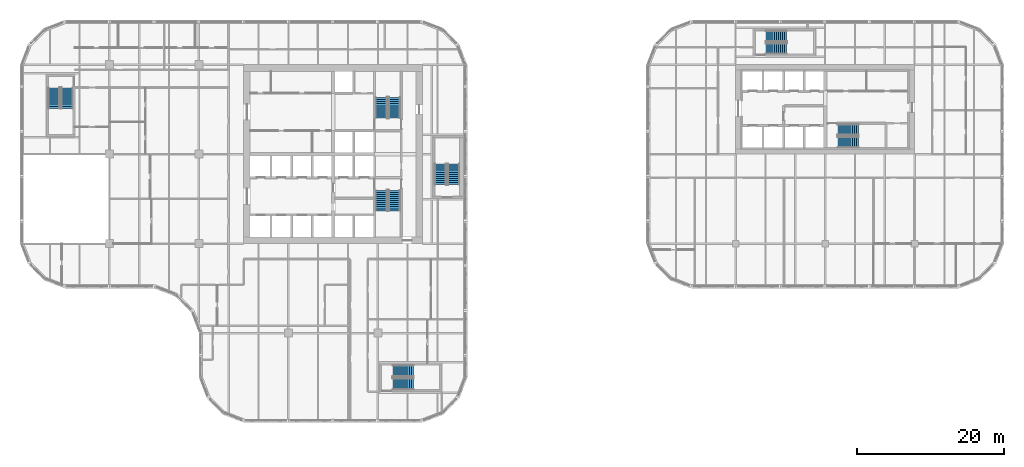
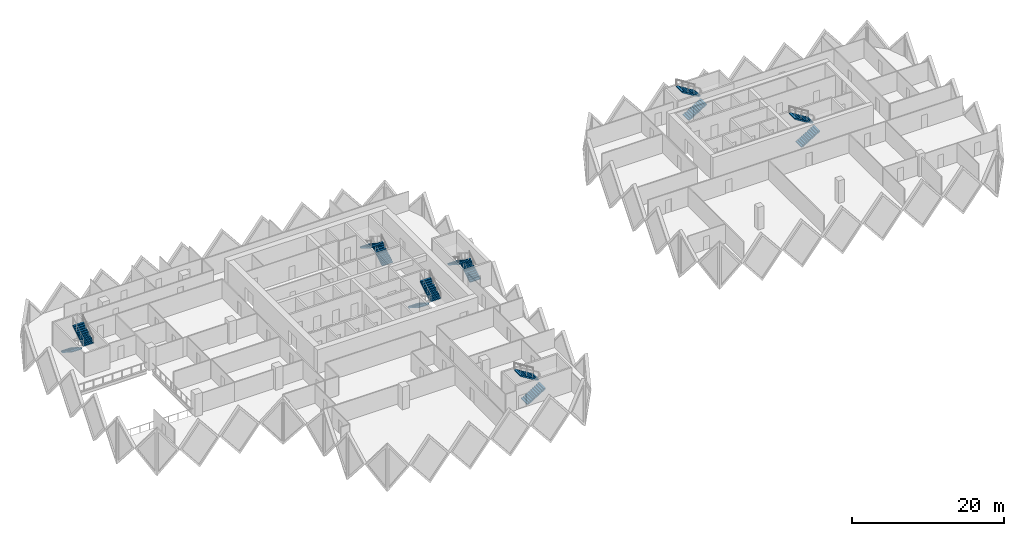
# One storey, part 16 of 18: 14 stair flights, 7 elements without a shape of their own.
"""IFC4 building model written with IfcOpenShell, lengths in metres."""

from ifc_helpers import new_model, si_unit, direction, frame, origin, place, context, subcontext, project, spatial, polyline, outline, extrude, material, type_object, element, aggregate, save


model = new_model("IFC4")

# Units and contexts
model_context = context("Model", 3, precision=1e-05, world=origin(), true_north=direction((0.0, 1.0)))
body_context = subcontext(model_context, "Body", "Model", "MODEL_VIEW")
ifc_project = project(units=[si_unit("LENGTHUNIT", "METRE"), si_unit("AREAUNIT", "SQUARE_METRE"), si_unit("VOLUMEUNIT", "CUBIC_METRE"), si_unit("PLANEANGLEUNIT", "RADIAN"), si_unit("MASSUNIT", "GRAM", prefix="KILO")], contexts=[model_context])

# Site, building, storey
site_placement = place(None, origin())
site = spatial("IfcSite", under=ifc_project, at=site_placement, CompositionType="ELEMENT")
building_placement = place(site_placement, origin())
building = spatial("IfcBuilding", under=site, at=building_placement, Name="Tessera Gate Towers", CompositionType="ELEMENT")
storey_placement = place(building_placement, frame((0.0, 0.0, 44.800048828125)))
storey = spatial("IfcBuildingStorey", under=building, at=storey_placement, Name="L10", CompositionType="ELEMENT", Elevation=44.800048828125)

# Stair, stair flights
ifc_material_1 = material(Name="Concrete C40/50", Category="concrete")
stair_type_1 = type_object("IfcStairType", Name="EXIT STAIR ST1 1600", PredefinedType="HALF_TURN_STAIR", material=ifc_material_1)
stair_1_placement = place(storey_placement, origin())
stair_1 = element("IfcStair", 1, at=stair_1_placement, inside=storey, type_object=stair_type_1, Name="L10 Protected Exit Stair ST1", PredefinedType="HALF_TURN_STAIR")
ifc_material_2 = material(Name="Concrete C40/50", Category="concrete")
stair_flight_type_1 = type_object("IfcStairFlightType", Name="EXIT STAIR FLIGHT ST1 1600", PredefinedType="STRAIGHT", material=ifc_material_2)
stair_flight_1_placement = place(storey_placement, frame((49.27490234375, 31.675048828125, 0.0), z_axis=(0.0, 0.0, 1.0), x_axis=(0.0, -1.0, 0.0)))
stair_flight_1 = element("IfcStairFlight", 2, at=stair_flight_1_placement, type_object=stair_flight_type_1, Name="ST1 flight 1", NumberOfRisers=11, NumberOfTreads=10, PredefinedType="STRAIGHT", RiserHeight=0.172727273, TreadLength=0.28, context=body_context, shape_type="SweptSolid", body=[
    extrude(outline(polyline([(0.0, 0.0), (0.0, 0.172607421875), (0.280029296875, 0.172607421875), (0.280029296875, 0.345458984375), (0.56005859375, 0.345458984375), (0.56005859375, 0.51806640625), (0.840087890625, 0.51806640625), (0.840087890625, 0.69091796875), (1.1201171875, 0.69091796875), (1.1201171875, 0.863525390625), (1.39990234375, 0.863525390625), (1.39990234375, 1.036376953125), (1.679931640625, 1.036376953125), (1.679931640625, 1.208984375), (1.9599609375, 1.208984375), (1.9599609375, 1.3818359375), (2.239990234375, 1.3818359375), (2.239990234375, 1.554443359375), (2.52001953125, 1.554443359375), (2.52001953125, 1.727294921875), (2.800048828125, 1.727294921875), (2.800048828125, 1.89990234375), (2.800048828125, 1.551025390625), (0.285400390625, 0.0), (0.0, 0.0)])), frame((0.0, 0.800048828125, 0.0), z_axis=(0.0, -1.0, 0.0), x_axis=(1.0, 0.0, 0.0)), (0.0, 0.0, 1.0), 1.60009765625),
])
stair_flight_2_placement = place(storey_placement, frame((51.074951171875, 28.875, 1.89990234375), z_axis=(0.0, 0.0, 1.0), x_axis=(0.0, 1.0, 0.0)))
stair_flight_2 = element("IfcStairFlight", 3, at=stair_flight_2_placement, type_object=stair_flight_type_1, Name="ST1 flight 2", NumberOfRisers=11, NumberOfTreads=10, PredefinedType="STRAIGHT", RiserHeight=0.172727273, TreadLength=0.28, context=body_context, shape_type="SweptSolid", body=[
    extrude(outline(polyline([(0.0, 0.0), (0.0, 0.172607421875), (0.280029296875, 0.172607421875), (0.280029296875, 0.345458984375), (0.56005859375, 0.345458984375), (0.56005859375, 0.51806640625), (0.840087890625, 0.51806640625), (0.840087890625, 0.69091796875), (1.1201171875, 0.69091796875), (1.1201171875, 0.863525390625), (1.39990234375, 0.863525390625), (1.39990234375, 1.036376953125), (1.679931640625, 1.036376953125), (1.679931640625, 1.208984375), (1.9599609375, 1.208984375), (1.9599609375, 1.3818359375), (2.239990234375, 1.3818359375), (2.239990234375, 1.554443359375), (2.52001953125, 1.554443359375), (2.52001953125, 1.727294921875), (2.800048828125, 1.727294921875), (2.800048828125, 1.89990234375), (2.800048828125, 1.551025390625), (0.285400390625, 0.0), (0.0, 0.0)])), frame((0.0, 0.800048828125, 0.0), z_axis=(0.0, -1.0, 0.0), x_axis=(1.0, 0.0, 0.0)), (0.0, 0.0, 1.0), 1.60009765625),
])
aggregate(stair_1, [stair_flight_1, stair_flight_2])

ifc_material_3 = material(Name="Concrete C40/50", Category="concrete")
stair_type_2 = type_object("IfcStairType", Name="EXIT STAIR ST2 1600", PredefinedType="HALF_TURN_STAIR", material=ifc_material_3)
stair_2_placement = place(storey_placement, origin())
stair_2 = element("IfcStair", 4, at=stair_2_placement, inside=storey, type_object=stair_type_2, Name="L10 Protected Exit Stair ST2", PredefinedType="HALF_TURN_STAIR")
ifc_material_4 = material(Name="Concrete C40/50", Category="concrete")
stair_flight_type_2 = type_object("IfcStairFlightType", Name="EXIT STAIR FLIGHT ST2 1600", PredefinedType="STRAIGHT", material=ifc_material_4)
stair_flight_3_placement = place(storey_placement, frame((51.074951171875, 41.52490234375, 0.0), z_axis=(0.0, 0.0, 1.0), x_axis=(0.0, 1.0, 0.0)))
stair_flight_3 = element("IfcStairFlight", 5, at=stair_flight_3_placement, type_object=stair_flight_type_2, Name="ST2 flight 1", NumberOfRisers=11, NumberOfTreads=10, PredefinedType="STRAIGHT", RiserHeight=0.172727273, TreadLength=0.28, context=body_context, shape_type="SweptSolid", body=[
    extrude(outline(polyline([(0.0, 0.0), (0.0, 0.172607421875), (0.280029296875, 0.172607421875), (0.280029296875, 0.345458984375), (0.56005859375, 0.345458984375), (0.56005859375, 0.51806640625), (0.840087890625, 0.51806640625), (0.840087890625, 0.69091796875), (1.1201171875, 0.69091796875), (1.1201171875, 0.863525390625), (1.39990234375, 0.863525390625), (1.39990234375, 1.036376953125), (1.679931640625, 1.036376953125), (1.679931640625, 1.208984375), (1.9599609375, 1.208984375), (1.9599609375, 1.3818359375), (2.239990234375, 1.3818359375), (2.239990234375, 1.554443359375), (2.52001953125, 1.554443359375), (2.52001953125, 1.727294921875), (2.800048828125, 1.727294921875), (2.800048828125, 1.89990234375), (2.800048828125, 1.551025390625), (0.285400390625, 0.0), (0.0, 0.0)])), frame((0.0, 0.800048828125, 0.0), z_axis=(0.0, -1.0, 0.0), x_axis=(1.0, 0.0, 0.0)), (0.0, 0.0, 1.0), 1.60009765625),
])
stair_flight_4_placement = place(storey_placement, frame((49.27490234375, 44.324951171875, 1.89990234375), z_axis=(0.0, 0.0, 1.0), x_axis=(0.0, -1.0, 0.0)))
stair_flight_4 = element("IfcStairFlight", 6, at=stair_flight_4_placement, type_object=stair_flight_type_2, Name="ST2 flight 2", NumberOfRisers=11, NumberOfTreads=10, PredefinedType="STRAIGHT", RiserHeight=0.172727273, TreadLength=0.28, context=body_context, shape_type="SweptSolid", body=[
    extrude(outline(polyline([(0.0, 0.0), (0.0, 0.172607421875), (0.280029296875, 0.172607421875), (0.280029296875, 0.345458984375), (0.56005859375, 0.345458984375), (0.56005859375, 0.51806640625), (0.840087890625, 0.51806640625), (0.840087890625, 0.69091796875), (1.1201171875, 0.69091796875), (1.1201171875, 0.863525390625), (1.39990234375, 0.863525390625), (1.39990234375, 1.036376953125), (1.679931640625, 1.036376953125), (1.679931640625, 1.208984375), (1.9599609375, 1.208984375), (1.9599609375, 1.3818359375), (2.239990234375, 1.3818359375), (2.239990234375, 1.554443359375), (2.52001953125, 1.554443359375), (2.52001953125, 1.727294921875), (2.800048828125, 1.727294921875), (2.800048828125, 1.89990234375), (2.800048828125, 1.551025390625), (0.285400390625, 0.0), (0.0, 0.0)])), frame((0.0, 0.800048828125, 0.0), z_axis=(0.0, -1.0, 0.0), x_axis=(1.0, 0.0, 0.0)), (0.0, 0.0, 1.0), 1.60009765625),
])
aggregate(stair_2, [stair_flight_3, stair_flight_4])

ifc_material_5 = material(Name="Concrete C40/50", Category="concrete")
stair_type_3 = type_object("IfcStairType", Name="EXIT STAIR ST3 1600", PredefinedType="HALF_TURN_STAIR", material=ifc_material_5)
stair_3_placement = place(storey_placement, origin())
stair_3 = element("IfcStair", 7, at=stair_3_placement, inside=storey, type_object=stair_type_3, Name="L10 West Exit Stair ST3", PredefinedType="HALF_TURN_STAIR")
ifc_material_6 = material(Name="Concrete C40/50", Category="concrete")
stair_flight_type_3 = type_object("IfcStairFlightType", Name="EXIT STAIR FLIGHT ST3 1600", PredefinedType="STRAIGHT", material=ifc_material_6)
stair_flight_5_placement = place(storey_placement, frame((4.64990234375, 45.64990234375, 0.0), z_axis=(0.0, 0.0, 1.0), x_axis=(0.0, -1.0, 0.0)))
stair_flight_5 = element("IfcStairFlight", 8, at=stair_flight_5_placement, type_object=stair_flight_type_3, Name="ST3 flight 1", NumberOfRisers=11, NumberOfTreads=10, PredefinedType="STRAIGHT", RiserHeight=0.172727273, TreadLength=0.28, context=body_context, shape_type="SweptSolid", body=[
    extrude(outline(polyline([(0.0, 0.0), (0.0, 0.172607421875), (0.280029296875, 0.172607421875), (0.280029296875, 0.345458984375), (0.56005859375, 0.345458984375), (0.56005859375, 0.51806640625), (0.840087890625, 0.51806640625), (0.840087890625, 0.69091796875), (1.1201171875, 0.69091796875), (1.1201171875, 0.863525390625), (1.39990234375, 0.863525390625), (1.39990234375, 1.036376953125), (1.679931640625, 1.036376953125), (1.679931640625, 1.208984375), (1.9599609375, 1.208984375), (1.9599609375, 1.3818359375), (2.239990234375, 1.3818359375), (2.239990234375, 1.554443359375), (2.52001953125, 1.554443359375), (2.52001953125, 1.727294921875), (2.800048828125, 1.727294921875), (2.800048828125, 1.89990234375), (2.800048828125, 1.551025390625), (0.285400390625, 0.0), (0.0, 0.0)])), frame((0.0, 0.800048828125, 0.0), z_axis=(0.0, -1.0, 0.0), x_axis=(1.0, 0.0, 0.0)), (0.0, 0.0, 1.0), 1.60009765625),
])
stair_flight_6_placement = place(storey_placement, frame((6.449951171875, 42.85009765625, 1.89990234375), z_axis=(0.0, 0.0, 1.0), x_axis=(0.0, 1.0, 0.0)))
stair_flight_6 = element("IfcStairFlight", 9, at=stair_flight_6_placement, type_object=stair_flight_type_3, Name="ST3 flight 2", NumberOfRisers=11, NumberOfTreads=10, PredefinedType="STRAIGHT", RiserHeight=0.172727273, TreadLength=0.28, context=body_context, shape_type="SweptSolid", body=[
    extrude(outline(polyline([(0.0, 0.0), (0.0, 0.172607421875), (0.280029296875, 0.172607421875), (0.280029296875, 0.345458984375), (0.56005859375, 0.345458984375), (0.56005859375, 0.51806640625), (0.840087890625, 0.51806640625), (0.840087890625, 0.69091796875), (1.1201171875, 0.69091796875), (1.1201171875, 0.863525390625), (1.39990234375, 0.863525390625), (1.39990234375, 1.036376953125), (1.679931640625, 1.036376953125), (1.679931640625, 1.208984375), (1.9599609375, 1.208984375), (1.9599609375, 1.3818359375), (2.239990234375, 1.3818359375), (2.239990234375, 1.554443359375), (2.52001953125, 1.554443359375), (2.52001953125, 1.727294921875), (2.800048828125, 1.727294921875), (2.800048828125, 1.89990234375), (2.800048828125, 1.551025390625), (0.285400390625, 0.0), (0.0, 0.0)])), frame((0.0, 0.800048828125, 0.0), z_axis=(0.0, -1.0, 0.0), x_axis=(1.0, 0.0, 0.0)), (0.0, 0.0, 1.0), 1.60009765625),
])
aggregate(stair_3, [stair_flight_5, stair_flight_6])

ifc_material_7 = material(Name="Concrete C40/50", Category="concrete")
stair_type_4 = type_object("IfcStairType", Name="EXIT STAIR ST4 1600", PredefinedType="HALF_TURN_STAIR", material=ifc_material_7)
stair_4_placement = place(storey_placement, origin())
stair_4 = element("IfcStair", 10, at=stair_4_placement, inside=storey, type_object=stair_type_4, Name="L10 South Exit Stair ST4", PredefinedType="HALF_TURN_STAIR")
ifc_material_8 = material(Name="Concrete C40/50", Category="concrete")
stair_flight_type_4 = type_object("IfcStairFlightType", Name="EXIT STAIR FLIGHT ST4 1600", PredefinedType="STRAIGHT", material=ifc_material_8)
stair_flight_7_placement = place(storey_placement, frame((50.85009765625, 5.25, 0.0), z_axis=(0.0, 0.0, 1.0), x_axis=(1.0, 0.0, 0.0)))
stair_flight_7 = element("IfcStairFlight", 11, at=stair_flight_7_placement, type_object=stair_flight_type_4, Name="ST4 flight 1", NumberOfRisers=11, NumberOfTreads=10, PredefinedType="STRAIGHT", RiserHeight=0.172727273, TreadLength=0.28, context=body_context, shape_type="SweptSolid", body=[
    extrude(outline(polyline([(0.0, 0.0), (0.0, 0.172607421875), (0.280029296875, 0.172607421875), (0.280029296875, 0.345458984375), (0.56005859375, 0.345458984375), (0.56005859375, 0.51806640625), (0.840087890625, 0.51806640625), (0.840087890625, 0.69091796875), (1.1201171875, 0.69091796875), (1.1201171875, 0.863525390625), (1.39990234375, 0.863525390625), (1.39990234375, 1.036376953125), (1.679931640625, 1.036376953125), (1.679931640625, 1.208984375), (1.9599609375, 1.208984375), (1.9599609375, 1.3818359375), (2.239990234375, 1.3818359375), (2.239990234375, 1.554443359375), (2.52001953125, 1.554443359375), (2.52001953125, 1.727294921875), (2.800048828125, 1.727294921875), (2.800048828125, 1.89990234375), (2.800048828125, 1.551025390625), (0.285400390625, 0.0), (0.0, 0.0)])), frame((0.0, 0.800048828125, 0.0), z_axis=(0.0, -1.0, 0.0), x_axis=(1.0, 0.0, 0.0)), (0.0, 0.0, 1.0), 1.60009765625),
])
stair_flight_8_placement = place(storey_placement, frame((53.64990234375, 7.050048828125, 1.89990234375), z_axis=(0.0, 0.0, 1.0), x_axis=(-1.0, 0.0, 0.0)))
stair_flight_8 = element("IfcStairFlight", 12, at=stair_flight_8_placement, type_object=stair_flight_type_4, Name="ST4 flight 2", NumberOfRisers=11, NumberOfTreads=10, PredefinedType="STRAIGHT", RiserHeight=0.172727273, TreadLength=0.28, context=body_context, shape_type="SweptSolid", body=[
    extrude(outline(polyline([(0.0, 0.0), (0.0, 0.172607421875), (0.280029296875, 0.172607421875), (0.280029296875, 0.345458984375), (0.56005859375, 0.345458984375), (0.56005859375, 0.51806640625), (0.840087890625, 0.51806640625), (0.840087890625, 0.69091796875), (1.1201171875, 0.69091796875), (1.1201171875, 0.863525390625), (1.39990234375, 0.863525390625), (1.39990234375, 1.036376953125), (1.679931640625, 1.036376953125), (1.679931640625, 1.208984375), (1.9599609375, 1.208984375), (1.9599609375, 1.3818359375), (2.239990234375, 1.3818359375), (2.239990234375, 1.554443359375), (2.52001953125, 1.554443359375), (2.52001953125, 1.727294921875), (2.800048828125, 1.727294921875), (2.800048828125, 1.89990234375), (2.800048828125, 1.551025390625), (0.285400390625, 0.0), (0.0, 0.0)])), frame((0.0, 0.800048828125, 0.0), z_axis=(0.0, -1.0, 0.0), x_axis=(1.0, 0.0, 0.0)), (0.0, 0.0, 1.0), 1.60009765625),
])
aggregate(stair_4, [stair_flight_7, stair_flight_8])

ifc_material_9 = material(Name="Concrete C40/50", Category="concrete")
stair_type_5 = type_object("IfcStairType", Name="EXIT STAIR ST5 1600", PredefinedType="HALF_TURN_STAIR", material=ifc_material_9)
stair_5_placement = place(storey_placement, origin())
stair_5 = element("IfcStair", 13, at=stair_5_placement, inside=storey, type_object=stair_type_5, Name="L10 East Exit Stair ST5", PredefinedType="HALF_TURN_STAIR")
ifc_material_10 = material(Name="Concrete C40/50", Category="concrete")
stair_flight_type_5 = type_object("IfcStairFlightType", Name="EXIT STAIR FLIGHT ST5 1600", PredefinedType="STRAIGHT", material=ifc_material_10)
stair_flight_9_placement = place(storey_placement, frame((59.14990234375, 32.449951171875, 0.0), z_axis=(0.0, 0.0, 1.0), x_axis=(0.0, 1.0, 0.0)))
stair_flight_9 = element("IfcStairFlight", 14, at=stair_flight_9_placement, type_object=stair_flight_type_5, Name="ST5 flight 1", NumberOfRisers=11, NumberOfTreads=10, PredefinedType="STRAIGHT", RiserHeight=0.172727273, TreadLength=0.28, context=body_context, shape_type="SweptSolid", body=[
    extrude(outline(polyline([(0.0, 0.0), (0.0, 0.172607421875), (0.280029296875, 0.172607421875), (0.280029296875, 0.345458984375), (0.56005859375, 0.345458984375), (0.56005859375, 0.51806640625), (0.840087890625, 0.51806640625), (0.840087890625, 0.69091796875), (1.1201171875, 0.69091796875), (1.1201171875, 0.863525390625), (1.39990234375, 0.863525390625), (1.39990234375, 1.036376953125), (1.679931640625, 1.036376953125), (1.679931640625, 1.208984375), (1.9599609375, 1.208984375), (1.9599609375, 1.3818359375), (2.239990234375, 1.3818359375), (2.239990234375, 1.554443359375), (2.52001953125, 1.554443359375), (2.52001953125, 1.727294921875), (2.800048828125, 1.727294921875), (2.800048828125, 1.89990234375), (2.800048828125, 1.551025390625), (0.285400390625, 0.0), (0.0, 0.0)])), frame((0.0, 0.800048828125, 0.0), z_axis=(0.0, -1.0, 0.0), x_axis=(1.0, 0.0, 0.0)), (0.0, 0.0, 1.0), 1.60009765625),
])
stair_flight_10_placement = place(storey_placement, frame((57.35009765625, 35.25, 1.89990234375), z_axis=(0.0, 0.0, 1.0), x_axis=(0.0, -1.0, 0.0)))
stair_flight_10 = element("IfcStairFlight", 15, at=stair_flight_10_placement, type_object=stair_flight_type_5, Name="ST5 flight 2", NumberOfRisers=11, NumberOfTreads=10, PredefinedType="STRAIGHT", RiserHeight=0.172727273, TreadLength=0.28, context=body_context, shape_type="SweptSolid", body=[
    extrude(outline(polyline([(0.0, 0.0), (0.0, 0.172607421875), (0.280029296875, 0.172607421875), (0.280029296875, 0.345458984375), (0.56005859375, 0.345458984375), (0.56005859375, 0.51806640625), (0.840087890625, 0.51806640625), (0.840087890625, 0.69091796875), (1.1201171875, 0.69091796875), (1.1201171875, 0.863525390625), (1.39990234375, 0.863525390625), (1.39990234375, 1.036376953125), (1.679931640625, 1.036376953125), (1.679931640625, 1.208984375), (1.9599609375, 1.208984375), (1.9599609375, 1.3818359375), (2.239990234375, 1.3818359375), (2.239990234375, 1.554443359375), (2.52001953125, 1.554443359375), (2.52001953125, 1.727294921875), (2.800048828125, 1.727294921875), (2.800048828125, 1.89990234375), (2.800048828125, 1.551025390625), (0.285400390625, 0.0), (0.0, 0.0)])), frame((0.0, 0.800048828125, 0.0), z_axis=(0.0, -1.0, 0.0), x_axis=(1.0, 0.0, 0.0)), (0.0, 0.0, 1.0), 1.60009765625),
])
aggregate(stair_5, [stair_flight_9, stair_flight_10])

ifc_material_11 = material(Name="Concrete C40/50", Category="concrete")
stair_type_6 = type_object("IfcStairType", Name="EXIT STAIR ST6 1500", PredefinedType="HALF_TURN_STAIR", material=ifc_material_11)
stair_6_placement = place(storey_placement, origin())
stair_6 = element("IfcStair", 16, at=stair_6_placement, inside=storey, type_object=stair_type_6, Name="L10 Protected Exit Stair ST6", PredefinedType="HALF_TURN_STAIR")
ifc_material_12 = material(Name="Concrete C40/50", Category="concrete")
stair_flight_type_6 = type_object("IfcStairFlightType", Name="EXIT STAIR FLIGHT ST6 1500", PredefinedType="STRAIGHT", material=ifc_material_12)
stair_flight_11_placement = place(storey_placement, frame((111.550048828125, 38.25, 0.0), z_axis=(0.0, 0.0, 1.0), x_axis=(1.0, 0.0, 0.0)))
stair_flight_11 = element("IfcStairFlight", 17, at=stair_flight_11_placement, type_object=stair_flight_type_6, Name="ST6 flight 1", NumberOfRisers=11, NumberOfTreads=10, PredefinedType="STRAIGHT", RiserHeight=0.172727273, TreadLength=0.28, context=body_context, shape_type="SweptSolid", body=[
    extrude(outline(polyline([(0.0, 0.0), (0.0, 0.172607421875), (0.280029296875, 0.172607421875), (0.280029296875, 0.345458984375), (0.56005859375, 0.345458984375), (0.56005859375, 0.51806640625), (0.840087890625, 0.51806640625), (0.840087890625, 0.69091796875), (1.1201171875, 0.69091796875), (1.1201171875, 0.863525390625), (1.39990234375, 0.863525390625), (1.39990234375, 1.036376953125), (1.679931640625, 1.036376953125), (1.679931640625, 1.208984375), (1.9599609375, 1.208984375), (1.9599609375, 1.3818359375), (2.239990234375, 1.3818359375), (2.239990234375, 1.554443359375), (2.52001953125, 1.554443359375), (2.52001953125, 1.727294921875), (2.800048828125, 1.727294921875), (2.800048828125, 1.89990234375), (2.800048828125, 1.551025390625), (0.285400390625, 0.0), (0.0, 0.0)])), frame((0.0, 0.75, 0.0), z_axis=(0.0, -1.0, 0.0), x_axis=(1.0, 0.0, 0.0)), (0.0, 0.0, 1.0), 1.5),
])
stair_flight_12_placement = place(storey_placement, frame((114.35009765625, 39.949951171875, 1.89990234375), z_axis=(0.0, 0.0, 1.0), x_axis=(-1.0, 0.0, 0.0)))
stair_flight_12 = element("IfcStairFlight", 18, at=stair_flight_12_placement, type_object=stair_flight_type_6, Name="ST6 flight 2", NumberOfRisers=11, NumberOfTreads=10, PredefinedType="STRAIGHT", RiserHeight=0.172727273, TreadLength=0.28, context=body_context, shape_type="SweptSolid", body=[
    extrude(outline(polyline([(0.0, 0.0), (0.0, 0.172607421875), (0.280029296875, 0.172607421875), (0.280029296875, 0.345458984375), (0.56005859375, 0.345458984375), (0.56005859375, 0.51806640625), (0.840087890625, 0.51806640625), (0.840087890625, 0.69091796875), (1.1201171875, 0.69091796875), (1.1201171875, 0.863525390625), (1.39990234375, 0.863525390625), (1.39990234375, 1.036376953125), (1.679931640625, 1.036376953125), (1.679931640625, 1.208984375), (1.9599609375, 1.208984375), (1.9599609375, 1.3818359375), (2.239990234375, 1.3818359375), (2.239990234375, 1.554443359375), (2.52001953125, 1.554443359375), (2.52001953125, 1.727294921875), (2.800048828125, 1.727294921875), (2.800048828125, 1.89990234375), (2.800048828125, 1.551025390625), (0.285400390625, 0.0), (0.0, 0.0)])), frame((0.0, 0.75, 0.0), z_axis=(0.0, -1.0, 0.0), x_axis=(1.0, 0.0, 0.0)), (0.0, 0.0, 1.0), 1.5),
])
aggregate(stair_6, [stair_flight_11, stair_flight_12])

ifc_material_13 = material(Name="Concrete C40/50", Category="concrete")
stair_type_7 = type_object("IfcStairType", Name="EXIT STAIR ST7 1500", PredefinedType="HALF_TURN_STAIR", material=ifc_material_13)
stair_7_placement = place(storey_placement, origin())
stair_7 = element("IfcStair", 19, at=stair_7_placement, inside=storey, type_object=stair_type_7, Name="L10 North Exit Stair ST7", PredefinedType="HALF_TURN_STAIR")
ifc_material_14 = material(Name="Concrete C40/50", Category="concrete")
stair_flight_type_7 = type_object("IfcStairFlightType", Name="EXIT STAIR FLIGHT ST7 1500", PredefinedType="STRAIGHT", material=ifc_material_14)
stair_flight_13_placement = place(storey_placement, frame((101.75, 51.0, 0.0), z_axis=(0.0, 0.0, 1.0), x_axis=(1.0, 0.0, 0.0)))
stair_flight_13 = element("IfcStairFlight", 20, at=stair_flight_13_placement, type_object=stair_flight_type_7, Name="ST7 flight 1", NumberOfRisers=11, NumberOfTreads=10, PredefinedType="STRAIGHT", RiserHeight=0.172727273, TreadLength=0.28, context=body_context, shape_type="SweptSolid", body=[
    extrude(outline(polyline([(0.0, 0.0), (0.0, 0.172607421875), (0.280029296875, 0.172607421875), (0.280029296875, 0.345458984375), (0.56005859375, 0.345458984375), (0.56005859375, 0.51806640625), (0.840087890625, 0.51806640625), (0.840087890625, 0.69091796875), (1.1201171875, 0.69091796875), (1.1201171875, 0.863525390625), (1.39990234375, 0.863525390625), (1.39990234375, 1.036376953125), (1.679931640625, 1.036376953125), (1.679931640625, 1.208984375), (1.9599609375, 1.208984375), (1.9599609375, 1.3818359375), (2.239990234375, 1.3818359375), (2.239990234375, 1.554443359375), (2.52001953125, 1.554443359375), (2.52001953125, 1.727294921875), (2.800048828125, 1.727294921875), (2.800048828125, 1.89990234375), (2.800048828125, 1.551025390625), (0.285400390625, 0.0), (0.0, 0.0)])), frame((0.0, 0.75, 0.0), z_axis=(0.0, -1.0, 0.0), x_axis=(1.0, 0.0, 0.0)), (0.0, 0.0, 1.0), 1.5),
])
stair_flight_14_placement = place(storey_placement, frame((104.550048828125, 52.699951171875, 1.89990234375), z_axis=(0.0, 0.0, 1.0), x_axis=(-1.0, 0.0, 0.0)))
stair_flight_14 = element("IfcStairFlight", 21, at=stair_flight_14_placement, type_object=stair_flight_type_7, Name="ST7 flight 2", NumberOfRisers=11, NumberOfTreads=10, PredefinedType="STRAIGHT", RiserHeight=0.172727273, TreadLength=0.28, context=body_context, shape_type="SweptSolid", body=[
    extrude(outline(polyline([(0.0, 0.0), (0.0, 0.172607421875), (0.280029296875, 0.172607421875), (0.280029296875, 0.345458984375), (0.56005859375, 0.345458984375), (0.56005859375, 0.51806640625), (0.840087890625, 0.51806640625), (0.840087890625, 0.69091796875), (1.1201171875, 0.69091796875), (1.1201171875, 0.863525390625), (1.39990234375, 0.863525390625), (1.39990234375, 1.036376953125), (1.679931640625, 1.036376953125), (1.679931640625, 1.208984375), (1.9599609375, 1.208984375), (1.9599609375, 1.3818359375), (2.239990234375, 1.3818359375), (2.239990234375, 1.554443359375), (2.52001953125, 1.554443359375), (2.52001953125, 1.727294921875), (2.800048828125, 1.727294921875), (2.800048828125, 1.89990234375), (2.800048828125, 1.551025390625), (0.285400390625, 0.0), (0.0, 0.0)])), frame((0.0, 0.75, 0.0), z_axis=(0.0, -1.0, 0.0), x_axis=(1.0, 0.0, 0.0)), (0.0, 0.0, 1.0), 1.5),
])
aggregate(stair_7, [stair_flight_13, stair_flight_14])

save(model, "model.ifc")
